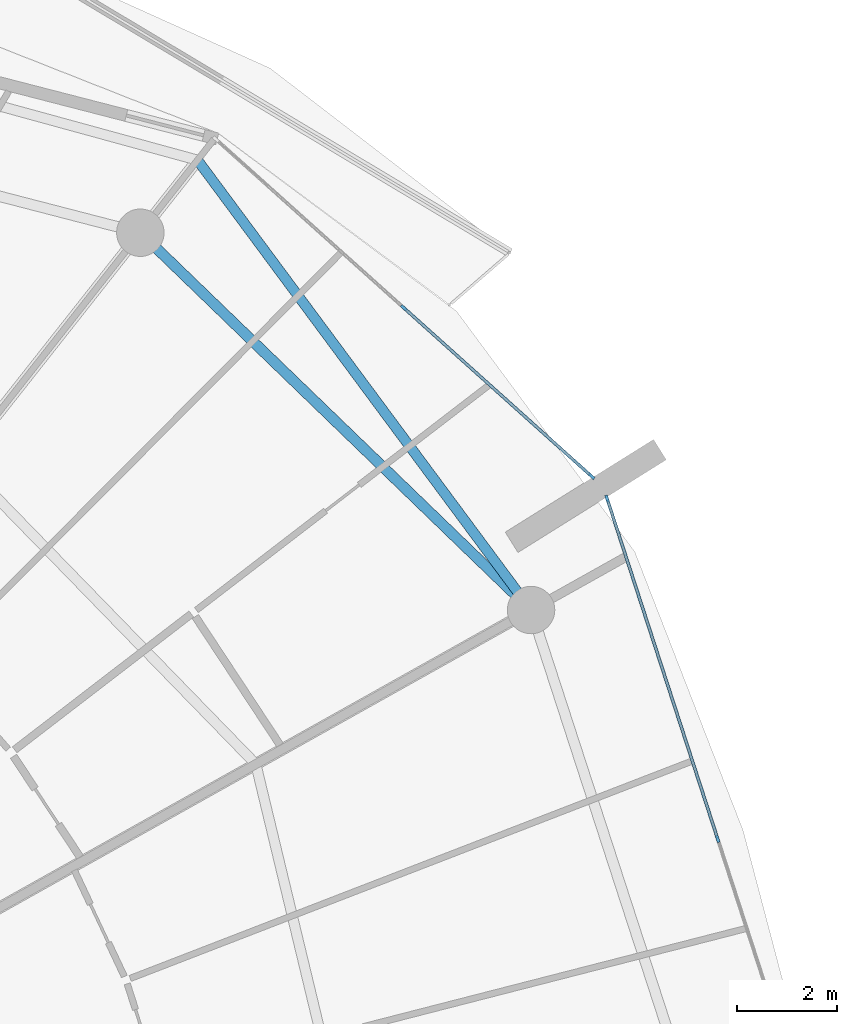
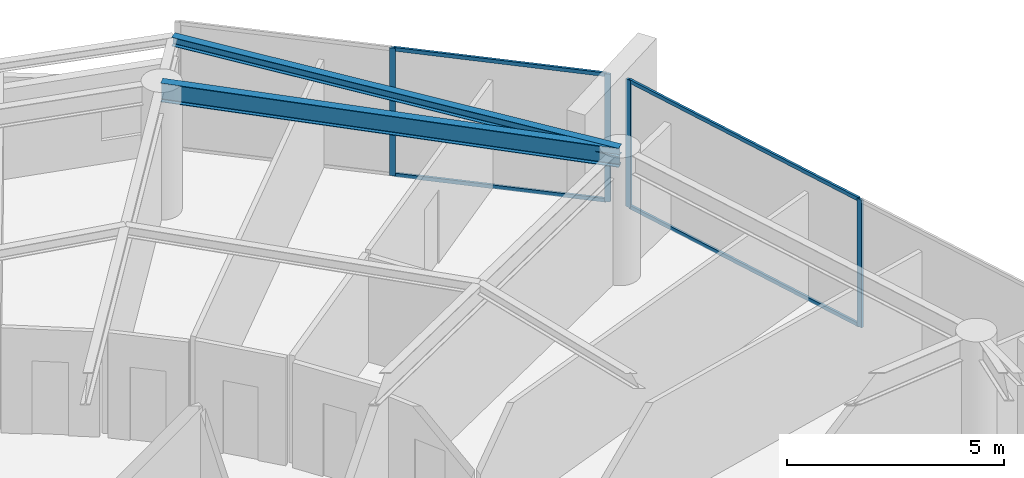
# One storey, part 15 of 31: 8 members, 2 beams, 2 elements without a shape of their own.
"""IFC4 building model written with IfcOpenShell, lengths in metres."""

from ifc_helpers import new_model, si_unit, direction, frame, origin, origin_2d, place, context, subcontext, project, spatial, rectangle, i_section, extrude, material, layer, layer_set, material_profile, profile_set, type_object, element, aggregate, save


model = new_model("IFC4")

# Units and contexts
model_context = context("Model", 3, precision=1e-05, world=origin(), true_north=direction((0.0, 1.0)))
body_context = subcontext(model_context, "Body", "Model", "MODEL_VIEW")
ifc_project = project(units=[si_unit("LENGTHUNIT", "METRE"), si_unit("AREAUNIT", "SQUARE_METRE"), si_unit("VOLUMEUNIT", "CUBIC_METRE"), si_unit("PLANEANGLEUNIT", "RADIAN"), si_unit("MASSUNIT", "GRAM", prefix="KILO")], contexts=[model_context])

# Site, building, storey
site_placement = place(None, origin())
site = spatial("IfcSite", under=ifc_project, at=site_placement, CompositionType="ELEMENT")
building_placement = place(site_placement, origin())
building = spatial("IfcBuilding", under=site, at=building_placement, Name="Kazma Halo Residences", CompositionType="ELEMENT")
storey_placement = place(building_placement, frame((0.0, 0.0, 248.25)))
storey = spatial("IfcBuildingStorey", under=building, at=storey_placement, Name="L62", CompositionType="ELEMENT", Elevation=248.25)

# Beams
ifc_material_1 = material(Name="Steel S355", Category="steel")
ifc_material_profile_1 = material_profile(ifc_material_1, i_section(OverallWidth=0.201904296875, OverallDepth=0.2470703125, WebThickness=0.00732421875, FlangeThickness=0.010986328125, FilletRadius=0.011962890625, at=origin_2d()), Name="W250x49.1")
ifc_profile_set_1 = profile_set([ifc_material_profile_1], Name="Steel S355")
beam_type_1 = type_object("IfcBeamType", Name="BM-BAL-CANT", PredefinedType="BEAM", material=ifc_profile_set_1)
beam_1_placement = place(storey_placement, frame((72.67041015625, 55.81591796875, 3.466552734375), z_axis=(-0.595556062515, 0.803313747176, 0.0), x_axis=(-0.803313747176, -0.595556062515, 0.0)))
element("IfcBeam", 1, at=beam_1_placement, inside=storey, type_object=beam_type_1, Name="L62 wave-balcony lead tie beam 01", PredefinedType="BEAM", context=body_context, shape_type="SweptSolid", body=[
    extrude(i_section(OverallWidth=0.201904296875, OverallDepth=0.2470703125, WebThickness=0.00732421875, FlangeThickness=0.010986328125, FilletRadius=0.011962890625, at=origin_2d()), origin(), (0.0, 0.0, 1.0), 11.213134765625),
])
ifc_material_profile_2 = material_profile(ifc_material_1, i_section(OverallWidth=0.208984375, OverallDepth=0.532958984375, WebThickness=0.01025390625, FlangeThickness=0.015625, FilletRadius=0.01611328125, at=origin_2d()), Name="W530x92")
ifc_profile_set_2 = profile_set([ifc_material_profile_2], Name="Steel S355")
beam_type_2 = type_object("IfcBeamType", Name="BM-SPN-W530", PredefinedType="BEAM", material=ifc_profile_set_2)
beam_2_placement = place(storey_placement, frame((72.67041015625, 55.81591796875, 3.323486328125), z_axis=(-0.719345757929, 0.694652201141, 0.0), x_axis=(-0.694652201141, -0.719345757929, 0.0)))
element("IfcBeam", 2, at=beam_2_placement, inside=storey, type_object=beam_type_2, Name="L62 perimeter ring beam 01", PredefinedType="BEAM", context=body_context, shape_type="SweptSolid", body=[
    extrude(i_section(OverallWidth=0.208984375, OverallDepth=0.532958984375, WebThickness=0.01025390625, FlangeThickness=0.015625, FilletRadius=0.01611328125, at=origin_2d()), origin(), (0.0, 0.0, 1.0), 10.87548828125),
])

# Curtain wall, members
ifc_material_2 = material(Name="Aluminium AW-6063 T6 and Triple-Silver Low-E Glass", Category="aluminium")
ifc_layer = layer(ifc_material_2, 0.139892578125)
ifc_layer_set = layer_set([ifc_layer], Name="Aluminium AW-6063 T6 and Triple-Silver Low-E Glass")
curtain_wall_type = type_object("IfcCurtainWallType", Name="CW-SYS-5", PredefinedType="NOTDEFINED", material=ifc_layer_set)
curtain_wall_1_placement = place(storey_placement, origin())
curtain_wall_1 = element("IfcCurtainWall", 3, at=curtain_wall_1_placement, inside=storey, type_object=curtain_wall_type, Name="L62 unitised curtain wall B01", PredefinedType="NOTDEFINED")
ifc_material_3 = material(Name="Aluminium AW-6063 T6", Category="aluminium")
ifc_material_profile_3 = material_profile(ifc_material_3, rectangle(XDim=0.06005859375, YDim=0.139892578125, at=origin_2d()), Name="CWM-60x140")
ifc_profile_set_3 = profile_set([ifc_material_profile_3], Name="Aluminium AW-6063 T6")
member_type_1 = type_object("IfcMemberType", Name="CW-SYS-5-MUL", PredefinedType="MULLION", material=ifc_profile_set_3)
member_1_placement = place(storey_placement, frame((73.88330078125, 58.491943359375, 0.0), z_axis=(0.0, 0.0, 1.0), x_axis=(-0.667804826958, -0.744336424671, 0.0)))
member_1 = element("IfcMember", 4, at=member_1_placement, type_object=member_type_1, Name="CWS-5 mullion 1", PredefinedType="MULLION", context=body_context, shape_type="SweptSolid", body=[
    extrude(rectangle(XDim=0.06005859375, YDim=0.139892578125, at=origin_2d()), origin(), (0.0, 0.0, 1.0), 3.590087890625),
])
member_2_placement = place(storey_placement, frame((70.121826171875, 61.86669921875, 0.0), z_axis=(0.0, 0.0, 1.0), x_axis=(-0.667804826958, -0.744336424671, 0.0)))
member_2 = element("IfcMember", 5, at=member_2_placement, type_object=member_type_1, Name="CWS-5 mullion 2", PredefinedType="MULLION", context=body_context, shape_type="SweptSolid", body=[
    extrude(rectangle(XDim=0.06005859375, YDim=0.139892578125, at=origin_2d()), origin(), (0.0, 0.0, 1.0), 3.590087890625),
])

curtain_wall_2_placement = place(storey_placement, origin())
curtain_wall_2 = element("IfcCurtainWall", 6, at=curtain_wall_2_placement, inside=storey, type_object=curtain_wall_type, Name="L62 unitised curtain wall B16", PredefinedType="NOTDEFINED")
member_3_placement = place(storey_placement, frame((76.40771484375, 51.230224609375, 0.0), z_axis=(0.0, 0.0, 1.0), x_axis=(-0.951058464359, -0.309010998786, 0.0)))
member_3 = element("IfcMember", 7, at=member_3_placement, type_object=member_type_1, Name="CWS-5 mullion 2", PredefinedType="MULLION", context=body_context, shape_type="SweptSolid", body=[
    extrude(rectangle(XDim=0.06005859375, YDim=0.139892578125, at=origin_2d()), origin(), (0.0, 0.0, 1.0), 3.590087890625),
])
member_4_placement = place(storey_placement, frame((74.1923828125, 58.0478515625, 0.0), z_axis=(0.0, 0.0, 1.0), x_axis=(-0.951058464359, -0.309010998786, 0.0)))
member_4 = element("IfcMember", 8, at=member_4_placement, type_object=member_type_1, Name="CWS-5 mullion 3", PredefinedType="MULLION", context=body_context, shape_type="SweptSolid", body=[
    extrude(rectangle(XDim=0.06005859375, YDim=0.139892578125, at=origin_2d()), origin(), (0.0, 0.0, 1.0), 3.590087890625),
])

# Member
ifc_material_profile_4 = material_profile(ifc_material_3, rectangle(XDim=0.06005859375, YDim=0.10498046875, at=origin_2d()), Name="CWT-60x105")
ifc_profile_set_4 = profile_set([ifc_material_profile_4], Name="Aluminium AW-6063 T6")
member_type_2 = type_object("IfcMemberType", Name="CW-SYS-5-TRN", PredefinedType="USERDEFINED", material=ifc_profile_set_4)
member_5_placement = place(storey_placement, frame((73.861083984375, 58.511962890625, 0.030029296875), z_axis=(-0.744328897483, 0.667813216679, 0.0), x_axis=(-0.667813216679, -0.744328897483, 0.0)))
member_5 = element("IfcMember", 9, at=member_5_placement, type_object=member_type_2, Name="CWS-5 transom 1.1", ObjectType="TRANSOM", PredefinedType="USERDEFINED", context=body_context, shape_type="SweptSolid", body=[
    extrude(rectangle(XDim=0.06005859375, YDim=0.10498046875, at=origin_2d()), origin(), (0.0, 0.0, 1.0), 4.993408203125),
])

member_6_placement = place(storey_placement, frame((73.861083984375, 58.511962890625, 3.56005859375), z_axis=(-0.744328897483, 0.667813216679, 0.0), x_axis=(-0.667813216679, -0.744328897483, 0.0)))
member_6 = element("IfcMember", 10, at=member_6_placement, type_object=member_type_2, Name="CWS-5 transom 1.2", ObjectType="TRANSOM", PredefinedType="USERDEFINED", context=body_context, shape_type="SweptSolid", body=[
    extrude(rectangle(XDim=0.06005859375, YDim=0.10498046875, at=origin_2d()), origin(), (0.0, 0.0, 1.0), 4.993408203125),
])

aggregate(curtain_wall_1, [member_1, member_2, member_5, member_6])

member_7_placement = place(storey_placement, frame((76.3984375, 51.2587890625, 0.030029296875), z_axis=(-0.309027052142, 0.95105324827, 0.0), x_axis=(-0.95105324827, -0.309027052142, 0.0)))
member_7 = element("IfcMember", 11, at=member_7_placement, type_object=member_type_2, Name="CWS-5 transom 2.1", ObjectType="TRANSOM", PredefinedType="USERDEFINED", context=body_context, shape_type="SweptSolid", body=[
    extrude(rectangle(XDim=0.06005859375, YDim=0.10498046875, at=origin_2d()), origin(), (0.0, 0.0, 1.0), 7.108642578125),
])

member_8_placement = place(storey_placement, frame((76.3984375, 51.2587890625, 3.56005859375), z_axis=(-0.309027052142, 0.95105324827, 0.0), x_axis=(-0.95105324827, -0.309027052142, 0.0)))
member_8 = element("IfcMember", 12, at=member_8_placement, type_object=member_type_2, Name="CWS-5 transom 2.2", ObjectType="TRANSOM", PredefinedType="USERDEFINED", context=body_context, shape_type="SweptSolid", body=[
    extrude(rectangle(XDim=0.06005859375, YDim=0.10498046875, at=origin_2d()), origin(), (0.0, 0.0, 1.0), 7.108642578125),
])

aggregate(curtain_wall_2, [member_3, member_4, member_7, member_8])

save(model, "model.ifc")
